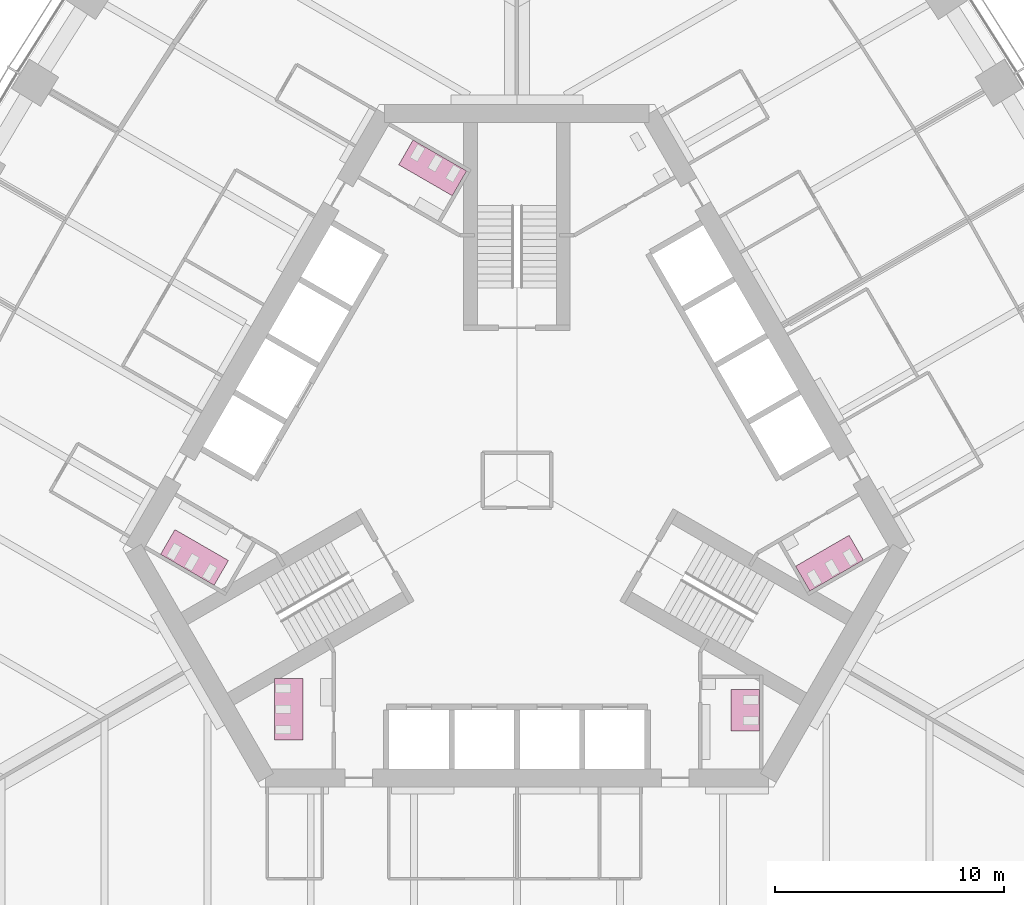
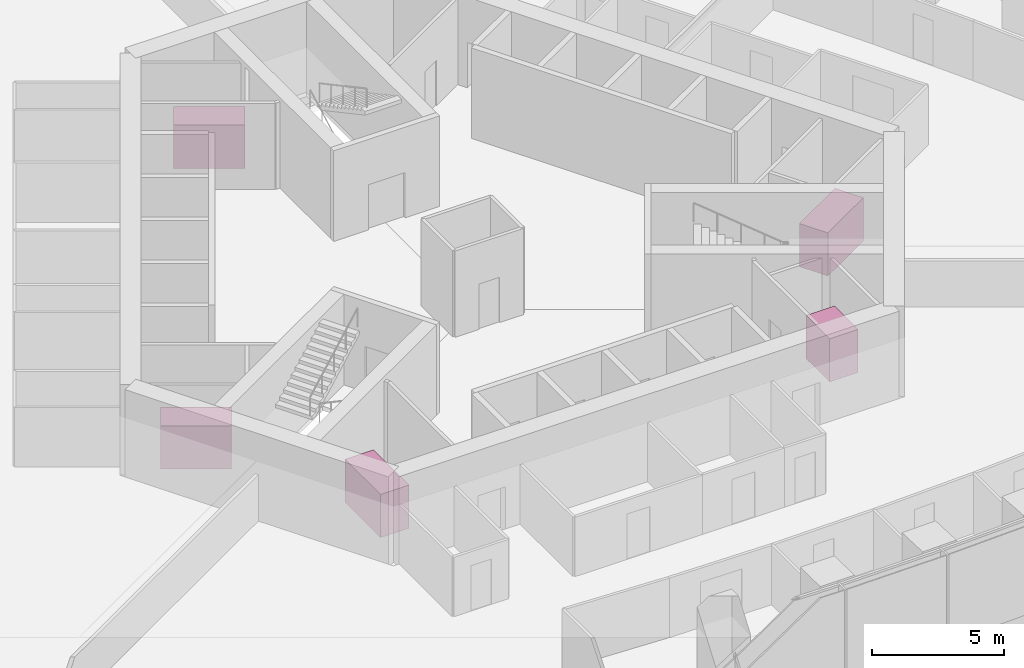
# One storey, part 19 of 19: 5 furniture elements.
"""IFC4 building model written with IfcOpenShell, lengths in metres."""

from ifc_helpers import new_model, si_unit, direction, frame, origin, place, context, subcontext, project, spatial, polyline, outline, extrude, material, type_object, element, save


model = new_model("IFC4")

# Units and contexts
model_context = context("Model", 3, precision=1e-05, world=origin(), true_north=direction((0.0, 1.0)))
body_context = subcontext(model_context, "Body", "Model", "MODEL_VIEW")
ifc_project = project(units=[si_unit("LENGTHUNIT", "METRE"), si_unit("AREAUNIT", "SQUARE_METRE"), si_unit("VOLUMEUNIT", "CUBIC_METRE"), si_unit("PLANEANGLEUNIT", "RADIAN"), si_unit("MASSUNIT", "GRAM", prefix="KILO")], contexts=[model_context])

# Site, building, storey
site_placement = place(None, origin())
site = spatial("IfcSite", under=ifc_project, at=site_placement, CompositionType="ELEMENT")
building_placement = place(site_placement, origin())
building = spatial("IfcBuilding", under=site, at=building_placement, Name="Trefoil Bronze Tower", CompositionType="ELEMENT")
storey_placement = place(building_placement, frame((0.0, 0.0, 20.699951171875)))
storey = spatial("IfcBuildingStorey", under=building, at=storey_placement, Name="L04", CompositionType="ELEMENT", Elevation=20.699951171875)

# Furniture
ifc_material_1 = material(Name="Compact laminate cubicles", Category="plastic")
furniture_type_1 = type_object("IfcFurnitureType", Name="WC cubicle range 2 cubicles", AssemblyPlace="FACTORY", PredefinedType="USERDEFINED", material=ifc_material_1)
furniture_1_placement = place(storey_placement, origin())
element("IfcFurniture", 1, at=furniture_1_placement, inside=storey, type_object=furniture_type_1, Name="WC cubicle range WC (men) L04", ObjectType="WC cubicle range", PredefinedType="USERDEFINED", context=body_context, shape_type="SweptSolid", body=[
    extrude(outline(polyline([(9.3349609375, -9.14990234375), (10.5849609375, -9.14990234375), (10.5849609375, -10.949951171875), (9.3349609375, -10.949951171875), (9.3349609375, -9.14990234375)])), origin(), (0.0, 0.0, 1.0), 2.0),
])
ifc_material_2 = material(Name="Compact laminate cubicles", Category="plastic")
furniture_type_2 = type_object("IfcFurnitureType", Name="WC cubicle range 3 cubicles", AssemblyPlace="FACTORY", PredefinedType="USERDEFINED", material=ifc_material_2)
furniture_2_placement = place(storey_placement, origin())
element("IfcFurniture", 2, at=furniture_2_placement, inside=storey, type_object=furniture_type_2, Name="WC cubicle range WC (women) L04", ObjectType="WC cubicle range", PredefinedType="USERDEFINED", context=body_context, shape_type="SweptSolid", body=[
    extrude(outline(polyline([(12.15869140625, -3.75927734375), (12.78369140625, -4.841796875), (15.121826171875, -3.491943359375), (14.496826171875, -2.409423828125), (12.15869140625, -3.75927734375)])), origin(), (0.0, 0.0, 1.0), 2.0),
])
furniture_3_placement = place(storey_placement, origin())
element("IfcFurniture", 3, at=furniture_3_placement, inside=storey, type_object=furniture_type_2, Name="WC cubicle range WC (women) L04", ObjectType="WC cubicle range", PredefinedType="USERDEFINED", context=body_context, shape_type="SweptSolid", body=[
    extrude(outline(polyline([(-2.82373046875, 12.409423828125), (-2.19873046875, 13.491943359375), (-4.536865234375, 14.841796875), (-5.161865234375, 13.75927734375), (-2.82373046875, 12.409423828125)])), origin(), (0.0, 0.0, 1.0), 2.0),
])
furniture_4_placement = place(storey_placement, origin())
element("IfcFurniture", 4, at=furniture_4_placement, inside=storey, type_object=furniture_type_2, Name="WC cubicle range WC (men) L04", ObjectType="WC cubicle range", PredefinedType="USERDEFINED", context=body_context, shape_type="SweptSolid", body=[
    extrude(outline(polyline([(-12.591552734375, -3.50927734375), (-13.216552734375, -4.591796875), (-15.554931640625, -3.241943359375), (-14.929931640625, -2.159423828125), (-12.591552734375, -3.50927734375)])), origin(), (0.0, 0.0, 1.0), 2.0),
])
furniture_5_placement = place(storey_placement, origin())
element("IfcFurniture", 5, at=furniture_5_placement, inside=storey, type_object=furniture_type_2, Name="WC cubicle range WC (women) L04", ObjectType="WC cubicle range", PredefinedType="USERDEFINED", context=body_context, shape_type="SweptSolid", body=[
    extrude(outline(polyline([(-9.3349609375, -8.64990234375), (-10.5849609375, -8.64990234375), (-10.5849609375, -11.35009765625), (-9.3349609375, -11.35009765625), (-9.3349609375, -8.64990234375)])), origin(), (0.0, 0.0, 1.0), 2.0),
])

save(model, "model.ifc")
